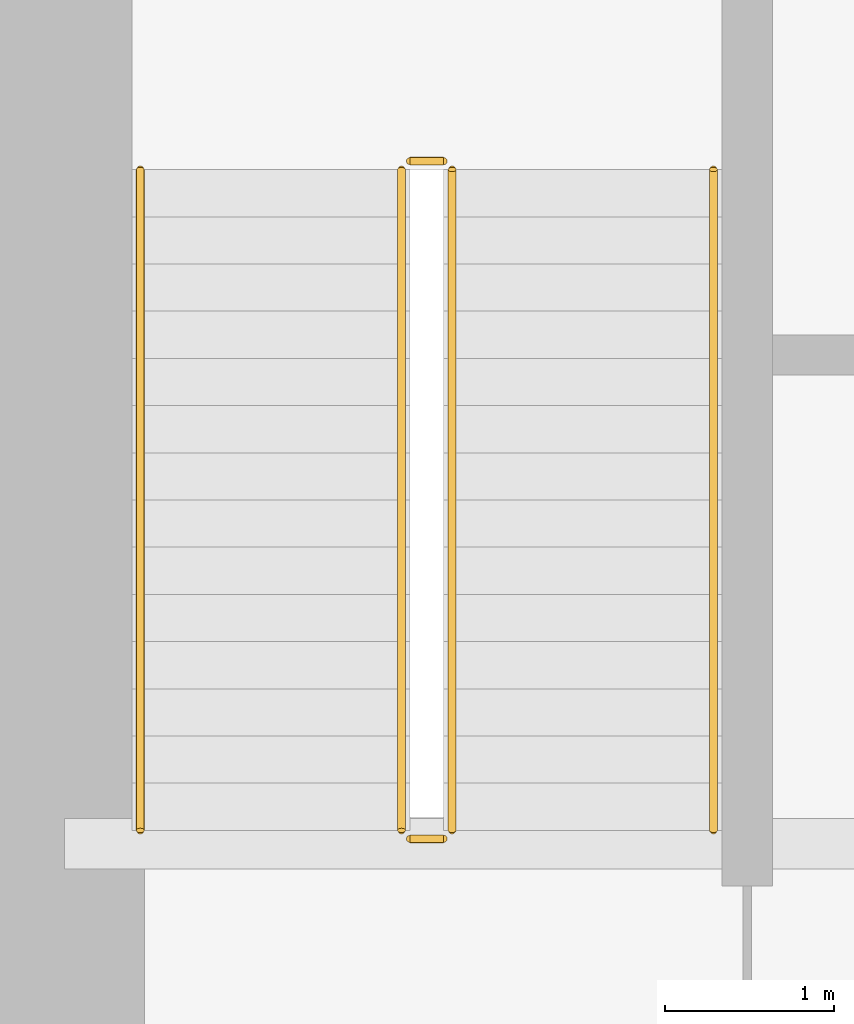
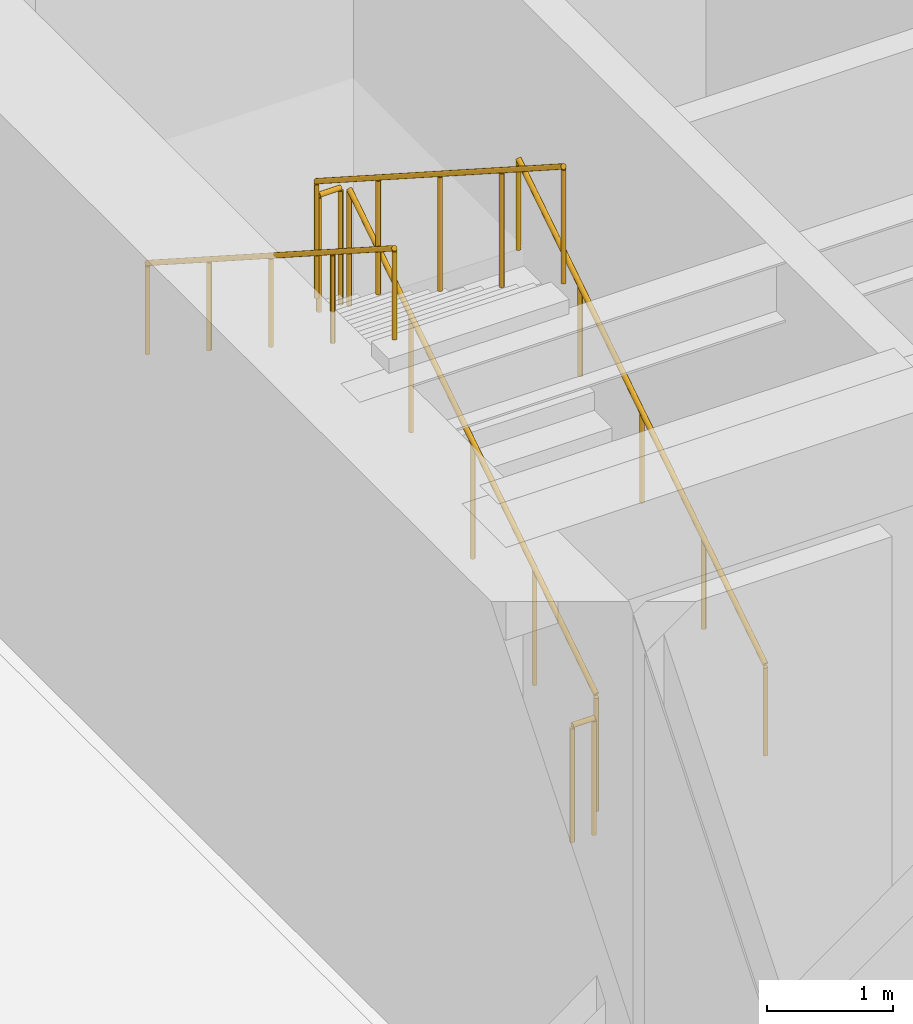
# One storey, part 33 of 35: 6 railings.
"""IFC4 building model written with IfcOpenShell, lengths in metres."""

from ifc_helpers import new_model, si_unit, direction, frame, origin, origin_2d, place, context, subcontext, project, spatial, circle, extrude, source, transform, mapped, material, type_object, type_shapes, element, save


model = new_model("IFC4")

# Units and contexts
model_context = context("Model", 3, precision=1e-05, world=origin(), true_north=direction((0.0, 1.0)))
body_context = subcontext(model_context, "Body", "Model", "MODEL_VIEW")
ifc_project = project(units=[si_unit("LENGTHUNIT", "METRE"), si_unit("AREAUNIT", "SQUARE_METRE"), si_unit("VOLUMEUNIT", "CUBIC_METRE"), si_unit("PLANEANGLEUNIT", "RADIAN"), si_unit("MASSUNIT", "GRAM", prefix="KILO")], contexts=[model_context])

# Site, building, storey
site_placement = place(None, origin())
site = spatial("IfcSite", under=ifc_project, at=site_placement, CompositionType="ELEMENT")
building_placement = place(site_placement, origin())
building = spatial("IfcBuilding", under=site, at=building_placement, Name="Haelvirn Gate Laboratories", CompositionType="ELEMENT")
storey_placement = place(building_placement, frame((0.0, 0.0, 19.800048828125)))
storey = spatial("IfcBuildingStorey", under=building, at=storey_placement, Name="L05", CompositionType="ELEMENT", Elevation=19.800048828125)

# Railings
ifc_material_1 = material(Name="Galvanised steel SM355 & stainless top rail", Category="steel")
railing_type_1 = type_object("IfcRailingType", Name="RL-GUARD-1150", PredefinedType="GUARDRAIL", material=ifc_material_1)
shared_shape_1 = source(origin(), body_context, "Body", "SweptSolid", [
    extrude(circle(Radius=0.02392578125, at=origin_2d()), frame((0.0, 0.0, 1.1259765625), z_axis=(-1.0, 0.0, 0.0), x_axis=(0.0, -1.0, 0.0)), (0.0, 0.0, 1.0), 0.199951171875),
    extrude(circle(Radius=0.02099609375, at=origin_2d()), origin(), (0.0, 0.0, 1.0), 1.101806640625),
    extrude(circle(Radius=0.02099609375, at=origin_2d()), frame((-0.199951171875, 0.0, 0.0)), (0.0, 0.0, 1.0), 1.101806640625),
])
for number, where, name in (
    (1, (9.64990234375, 30.669921875, 2.699951171875), "L05 ST1 stair guard 2"),
    (2, (9.64990234375, 26.64990234375, 0.0), "L05 ST1 stair guard 4"),
):
    element("IfcRailing", number, at=place(storey_placement, frame(where)), inside=storey, type_object=railing_type_1, Name=name, PredefinedType="GUARDRAIL", context=body_context, shape_type="MappedRepresentation", body=[
        mapped(shared_shape_1, transform((0.0, 0.0, 0.0), scale=1.0)),
    ])
shared_shape_2 = source(origin(), body_context, "Body", "SweptSolid", [
    extrude(circle(Radius=0.02392578125, at=origin_2d()), frame((0.0, 0.0, 1.1259765625), z_axis=(0.0, 0.841186985886, 0.540744352514), x_axis=(-1.0, 0.0, 0.0)), (0.0, 0.0, 1.0), 4.660400390625),
    extrude(circle(Radius=0.02099609375, at=origin_2d()), origin(), (0.0, 0.0, 1.0), 1.101806640625),
    extrude(circle(Radius=0.02099609375, at=origin_2d()), frame((0.0, 0.97998046875, 0.6298828125)), (0.0, 0.0, 1.0), 1.101806640625),
    extrude(circle(Radius=0.02099609375, at=origin_2d()), frame((0.0, 1.9599609375, 1.260009765625)), (0.0, 0.0, 1.0), 1.101806640625),
    extrude(circle(Radius=0.02099609375, at=origin_2d()), frame((0.0, 2.940185546875, 1.89013671875)), (0.0, 0.0, 1.0), 1.101806640625),
    extrude(circle(Radius=0.02099609375, at=origin_2d()), frame((0.0, 3.920166015625, 2.52001953125)), (0.0, 0.0, 1.0), 1.101806640625),
])
railing_1_placement = place(storey_placement, frame((9.699951171875, 26.699951171875, 0.179931640625)))
element("IfcRailing", 3, at=railing_1_placement, inside=storey, type_object=railing_type_1, Name="L05 ST1 stair guard 1", PredefinedType="GUARDRAIL", context=body_context, shape_type="MappedRepresentation", body=[
    mapped(shared_shape_2, transform((0.0, 0.0, 0.0), scale=1.0)),
])
shared_shape_3 = source(origin(), body_context, "Body", "SweptSolid", [
    extrude(circle(Radius=0.02392578125, at=origin_2d()), frame((0.0, 0.0, 1.1259765625), z_axis=(0.0, -0.841186985886, 0.540744352514), x_axis=(1.0, 0.0, 0.0)), (0.0, 0.0, 1.0), 4.660400390625),
    extrude(circle(Radius=0.02099609375, at=origin_2d()), origin(), (0.0, 0.0, 1.0), 1.101806640625),
    extrude(circle(Radius=0.02099609375, at=origin_2d()), frame((0.0, -0.97998046875, 0.6298828125)), (0.0, 0.0, 1.0), 1.101806640625),
    extrude(circle(Radius=0.02099609375, at=origin_2d()), frame((0.0, -1.9599609375, 1.260009765625)), (0.0, 0.0, 1.0), 1.101806640625),
    extrude(circle(Radius=0.02099609375, at=origin_2d()), frame((0.0, -2.940185546875, 1.89013671875)), (0.0, 0.0, 1.0), 1.101806640625),
    extrude(circle(Radius=0.02099609375, at=origin_2d()), frame((0.0, -3.920166015625, 2.52001953125)), (0.0, 0.0, 1.0), 1.101806640625),
])
type_shapes(railing_type_1, [shared_shape_1, shared_shape_2, shared_shape_3])
railing_2_placement = place(storey_placement, frame((9.39990234375, 30.6201171875, 2.8798828125)))
element("IfcRailing", 4, at=railing_2_placement, inside=storey, type_object=railing_type_1, Name="L05 ST1 stair guard 3", PredefinedType="GUARDRAIL", context=body_context, shape_type="MappedRepresentation", body=[
    mapped(shared_shape_3, transform((0.0, 0.0, 0.0), scale=1.0)),
])
ifc_material_2 = material(Name="Brushed stainless steel 316L", Category="steel")
railing_type_2 = type_object("IfcRailingType", Name="RL-HAND-920", PredefinedType="HANDRAIL", material=ifc_material_2)
shared_shape_4 = source(origin(), body_context, "Body", "SweptSolid", [
    extrude(circle(Radius=0.02392578125, at=origin_2d()), frame((0.0, 0.0, 0.8759765625), z_axis=(0.0, 0.841186985886, 0.540744352514), x_axis=(-1.0, 0.0, 0.0)), (0.0, 0.0, 1.0), 4.660400390625),
    extrude(circle(Radius=0.02099609375, at=origin_2d()), origin(), (0.0, 0.0, 1.0), 0.851806640625),
    extrude(circle(Radius=0.02099609375, at=origin_2d()), frame((0.0, 0.97998046875, 0.6298828125)), (0.0, 0.0, 1.0), 0.851806640625),
    extrude(circle(Radius=0.02099609375, at=origin_2d()), frame((0.0, 1.9599609375, 1.260009765625)), (0.0, 0.0, 1.0), 0.851806640625),
    extrude(circle(Radius=0.02099609375, at=origin_2d()), frame((0.0, 2.940185546875, 1.89013671875)), (0.0, 0.0, 1.0), 0.851806640625),
    extrude(circle(Radius=0.02099609375, at=origin_2d()), frame((0.0, 3.920166015625, 2.52001953125)), (0.0, 0.0, 1.0), 0.851806640625),
])
railing_3_placement = place(storey_placement, frame((11.25, 26.699951171875, 0.179931640625)))
element("IfcRailing", 5, at=railing_3_placement, inside=storey, type_object=railing_type_2, Name="L05 ST1 stair handrail 1", PredefinedType="HANDRAIL", context=body_context, shape_type="MappedRepresentation", body=[
    mapped(shared_shape_4, transform((0.0, 0.0, 0.0), scale=1.0)),
])
shared_shape_5 = source(origin(), body_context, "Body", "SweptSolid", [
    extrude(circle(Radius=0.02392578125, at=origin_2d()), frame((0.0, 0.0, 0.8759765625), z_axis=(0.0, -0.841186985886, 0.540744352514), x_axis=(1.0, 0.0, 0.0)), (0.0, 0.0, 1.0), 4.660400390625),
    extrude(circle(Radius=0.02099609375, at=origin_2d()), origin(), (0.0, 0.0, 1.0), 0.851806640625),
    extrude(circle(Radius=0.02099609375, at=origin_2d()), frame((0.0, -0.97998046875, 0.6298828125)), (0.0, 0.0, 1.0), 0.851806640625),
    extrude(circle(Radius=0.02099609375, at=origin_2d()), frame((0.0, -1.9599609375, 1.260009765625)), (0.0, 0.0, 1.0), 0.851806640625),
    extrude(circle(Radius=0.02099609375, at=origin_2d()), frame((0.0, -2.940185546875, 1.89013671875)), (0.0, 0.0, 1.0), 0.851806640625),
    extrude(circle(Radius=0.02099609375, at=origin_2d()), frame((0.0, -3.920166015625, 2.52001953125)), (0.0, 0.0, 1.0), 0.851806640625),
])
type_shapes(railing_type_2, [shared_shape_4, shared_shape_5])
railing_4_placement = place(storey_placement, frame((7.85009765625, 30.6201171875, 2.8798828125)))
element("IfcRailing", 6, at=railing_4_placement, inside=storey, type_object=railing_type_2, Name="L05 ST1 stair handrail 2", PredefinedType="HANDRAIL", context=body_context, shape_type="MappedRepresentation", body=[
    mapped(shared_shape_5, transform((0.0, 0.0, 0.0), scale=1.0)),
])

save(model, "model.ifc")
